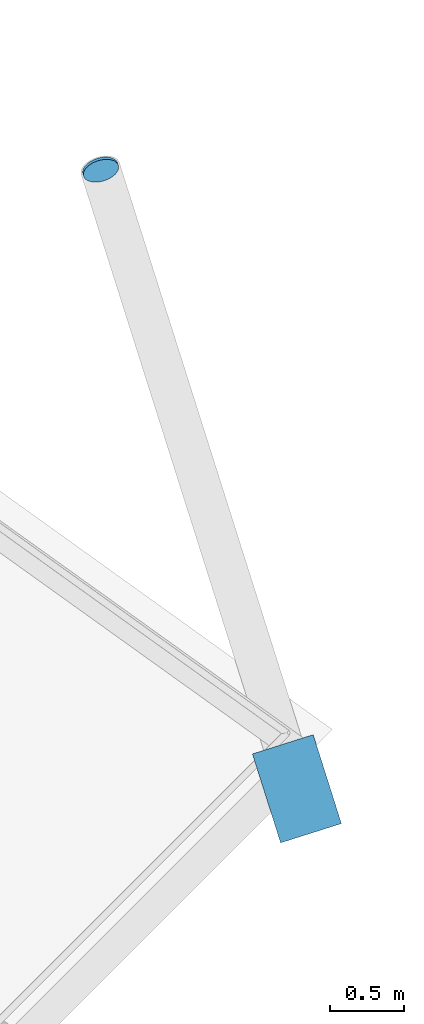
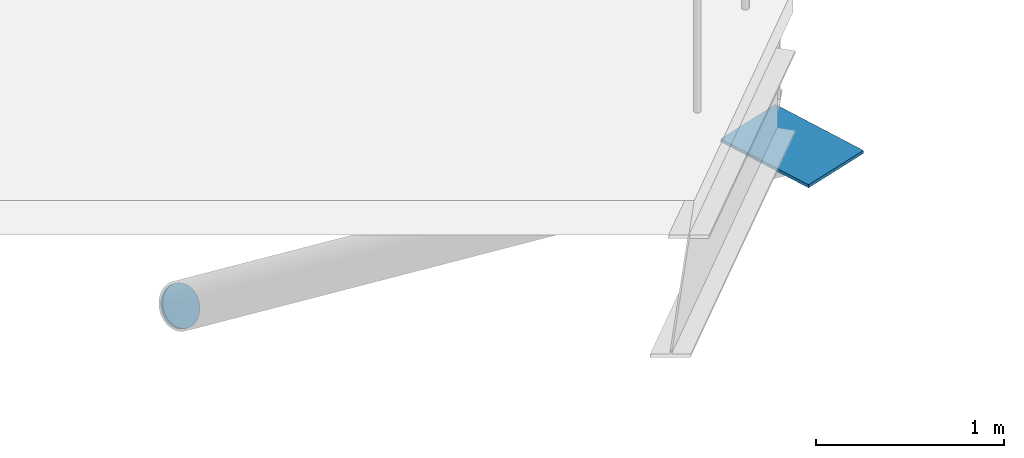
# One storey, part 30 of 37: 2 discrete accessories.
"""IFC4 building model written with IfcOpenShell, lengths in metres."""

import ifcopenshell
import ifcopenshell.guid

model = None  # the IFC model being written
_history = None  # IfcOwnerHistory: only IFC2X3 demands one
_inside = {}  # id of a spatial element -> (the spatial element, [elements in it])
_under = {}  # id of a project, library or spatial element -> (it, [spatial elements below it])
_declared = {}  # id of a project -> (the project, [libraries it declares])
_typed = {}  # id of a type object -> (the type object, [elements of that type])
_made_of = {}  # id of a material, layer set ... -> (it, [elements and type objects made of it])


def new_model(schema):
    """Start an empty IFC model of exactly this schema.

    Asked for "IFC4X3", IfcOpenShell would pick the latest addendum, in which some entities
    have other attributes; the version numbers below select the first issue.
    IFC2X3 requires an IfcOwnerHistory on every rooted entity: one is made here for all.
    """
    global model, _history
    if schema == "IFC4X3":
        model = ifcopenshell.file(schema_version=(4, 3, 0, 0))
    else:
        model = ifcopenshell.file(schema=schema)
    _inside.clear()
    _under.clear()
    _declared.clear()
    _typed.clear()
    _made_of.clear()
    _history = None
    if model.schema == "IFC2X3":
        org = make("IfcOrganization", Name="unknown")
        user = make(
            "IfcPersonAndOrganization",
            ThePerson=make("IfcPerson", FamilyName="unknown"),
            TheOrganization=org,
        )
        app = make(
            "IfcApplication",
            ApplicationDeveloper=org,
            Version="unknown",
            ApplicationFullName="unknown",
            ApplicationIdentifier="unknown",
        )
        _history = make(
            "IfcOwnerHistory",
            OwningUser=user,
            OwningApplication=app,
            ChangeAction="ADDED",
            CreationDate=0,
        )
    return model


def make(cls, **values):
    """One entity of the class cls with the attributes given. An attribute that is None is left unset."""
    return model.create_entity(
        cls, **{name: value for name, value in values.items() if value is not None}
    )


def rooted(cls, **values):
    """An entity with a GlobalId (a new one), such as an element, a storey or a relation."""
    return make(cls, GlobalId=ifcopenshell.guid.new(), OwnerHistory=_history, **values)


def si_unit(unit_type, name, prefix=None):
    """IfcSIUnit, for example si_unit("LENGTHUNIT", "METRE", prefix="MILLI")."""
    return make("IfcSIUnit", UnitType=unit_type, Prefix=prefix, Name=name)


def assignment(units):
    """IfcUnitAssignment: the units of a project."""
    return None if units is None else make("IfcUnitAssignment", Units=units)


def point(xyz):
    """IfcCartesianPoint."""
    return None if xyz is None else make("IfcCartesianPoint", Coordinates=xyz)


def direction(xyz):
    """IfcDirection."""
    return None if xyz is None else make("IfcDirection", DirectionRatios=xyz)


def frame(location, z_axis=None, x_axis=None):
    """IfcAxis2Placement3D, a coordinate frame: its origin and axes. An axis left out is left unset."""
    return make(
        "IfcAxis2Placement3D",
        Location=point(location),
        Axis=direction(z_axis),
        RefDirection=direction(x_axis),
    )


def frame_2d(location, x_axis=None):
    """IfcAxis2Placement2D, a coordinate frame in the plane: its origin and x axis."""
    return make(
        "IfcAxis2Placement2D", Location=point(location), RefDirection=direction(x_axis)
    )


def origin():
    """The frame at (0, 0, 0) with its axes left unset."""
    return frame((0.0, 0.0, 0.0))


def origin_2d():
    """The frame at (0, 0) in the plane with its x axis left unset."""
    return frame_2d((0.0, 0.0))


def place(relative_to, where):
    """IfcLocalPlacement: puts the frame where relative to a parent placement (None: the world)."""
    return make(
        "IfcLocalPlacement", PlacementRelTo=relative_to, RelativePlacement=where
    )


def context(
    kind, dimensions, precision=None, world=None, true_north=None, identifier=None
):
    """IfcGeometricRepresentationContext, for example the 3D "Model" context."""
    return make(
        "IfcGeometricRepresentationContext",
        ContextIdentifier=identifier,
        ContextType=kind,
        CoordinateSpaceDimension=dimensions,
        Precision=precision,
        WorldCoordinateSystem=world,
        TrueNorth=true_north,
    )


def subcontext(parent, identifier, kind, view, scale=None):
    """IfcGeometricRepresentationSubContext, for example "Body" below "Model"."""
    return make(
        "IfcGeometricRepresentationSubContext",
        ContextIdentifier=identifier,
        ContextType=kind,
        ParentContext=parent,
        TargetScale=scale,
        TargetView=view,
    )


def project(units=None, contexts=None):
    """IfcProject with its units and contexts."""
    return rooted(
        "IfcProject",
        Name="project",
        RepresentationContexts=contexts,
        UnitsInContext=assignment(units),
    )


def spatial(cls, under=None, at=None, **own):
    """A site, building, storey or space (cls), placed at a placement, below another one or the project."""
    s = rooted(cls, ObjectPlacement=at, **own)
    if under is not None:
        _under.setdefault(under.id(), (under, []))[1].append(s)
    return s


def polyline(points):
    """IfcPolyline through the points."""
    return make("IfcPolyline", Points=[point(p) for p in points])


def profile(cls, at=None, kind="AREA", **sizes):
    """A parametric profile (cls). Its sizes go by their IFC names, for example OverallWidth=200.0."""
    return make(cls, ProfileType=kind, Position=at, **sizes)


def rectangle(**sizes):
    """IfcRectangleProfileDef."""
    return profile("IfcRectangleProfileDef", **sizes)


def circle(**sizes):
    """IfcCircleProfileDef."""
    return profile("IfcCircleProfileDef", **sizes)


def outline(outer, holes=None, kind="AREA"):
    """IfcArbitraryClosedProfileDef: a profile drawn as a closed curve; with holes, ...WithVoids."""
    if holes is None:
        return make("IfcArbitraryClosedProfileDef", ProfileType=kind, OuterCurve=outer)
    return make(
        "IfcArbitraryProfileDefWithVoids",
        ProfileType=kind,
        OuterCurve=outer,
        InnerCurves=holes,
    )


def extrude(swept, where, along, depth):
    """IfcExtrudedAreaSolid: the profile swept, set in the frame where, extruded along a direction by depth."""
    return make(
        "IfcExtrudedAreaSolid",
        SweptArea=swept,
        Position=where,
        ExtrudedDirection=direction(along),
        Depth=depth,
    )


def shape(context_of_items, identifier, shape_type, items):
    """IfcShapeRepresentation: the items that make up one representation, for example the "Body"."""
    return make(
        "IfcShapeRepresentation",
        ContextOfItems=context_of_items,
        RepresentationIdentifier=identifier,
        RepresentationType=shape_type,
        Items=items,
    )


def material(Name=None, Category=None):
    """IfcMaterial."""
    return make("IfcMaterial", Name=Name, Category=Category)


def material_profile(
    of_material, cross_section, Name=None, Category=None, Priority=None
):
    """IfcMaterialProfile: a cross section and its material."""
    return make(
        "IfcMaterialProfile",
        Name=Name,
        Material=of_material,
        Profile=cross_section,
        Priority=Priority,
        Category=Category,
    )


def profile_set(profiles, Name=None, composite=None):
    """IfcMaterialProfileSet."""
    return make(
        "IfcMaterialProfileSet",
        Name=Name,
        MaterialProfiles=profiles,
        CompositeProfile=composite,
    )


def made_of(thing, what):
    """Note that an element or type object is made of a material, layer set ...; save() writes the relation."""
    if what is not None:
        _made_of.setdefault(what.id(), (what, []))[1].append(thing)
    return thing


def type_object(cls, material=None, **own):
    """A type object (cls), such as IfcWallType, which elements share."""
    return made_of(rooted(cls, **own), material)


def element(
    cls,
    number,
    at=None,
    inside=None,
    cuts=None,
    type_object=None,
    material=None,
    context=None,
    identifier="Body",
    shape_type=None,
    held_by="IfcProductDefinitionShape",
    body=None,
    shapes=None,
    **own,
):
    """One element of the class cls, such as IfcWall. Its Tag is "e" and its number.

    at: its placement. inside: the storey or other place that contains it. cuts: it is an
    opening in that element (IfcRelVoidsElement). A single representation is given by context,
    identifier, shape_type and body (its items); several are given by shapes. held_by: the class
    of the entity that holds the representations. save() writes the other relations.
    """
    e = rooted(cls, Tag="e%d" % number, ObjectPlacement=at, **own)
    if body is not None:
        shapes = [shape(context, identifier, shape_type, body)]
    if shapes is not None:
        e.Representation = make(held_by, Representations=shapes)
    if inside is not None:
        _inside.setdefault(inside.id(), (inside, []))[1].append(e)
    if cuts is not None:
        rooted(
            "IfcRelVoidsElement", RelatingBuildingElement=cuts, RelatedOpeningElement=e
        )
    if type_object is not None:
        _typed.setdefault(type_object.id(), (type_object, []))[1].append(e)
    return made_of(e, material)


def aggregate(whole, parts):
    """IfcRelAggregates: a whole, such as a stair, and the parts it consists of."""
    return rooted("IfcRelAggregates", RelatingObject=whole, RelatedObjects=parts)


def save(model, path):
    """Write the relations noted so far, then the file.

    IfcRelAggregates (storeys below a building ...), IfcRelContainedInSpatialStructure (elements
    in a storey), IfcRelDefinesByType, IfcRelAssociatesMaterial and IfcRelDeclares: one each for
    every whole, place, type object, material and project.
    """
    for whole, parts in _under.values():
        aggregate(whole, parts)
    for where, things in _inside.values():
        rooted(
            "IfcRelContainedInSpatialStructure",
            RelatedElements=things,
            RelatingStructure=where,
        )
    for kind, things in _typed.values():
        rooted("IfcRelDefinesByType", RelatedObjects=things, RelatingType=kind)
    for what, things in _made_of.values():
        rooted("IfcRelAssociatesMaterial", RelatedObjects=things, RelatingMaterial=what)
    for by, libraries in _declared.values():
        rooted("IfcRelDeclares", RelatingContext=by, RelatedDefinitions=libraries)
    model.write(path)


model = new_model("IFC4")

# Units and contexts
model_context = context("Model", 3, precision=1e-05, world=origin(), true_north=direction((0.0, 1.0)))
body_context = subcontext(model_context, "Body", "Model", "MODEL_VIEW")
ifc_project = project(units=[si_unit("LENGTHUNIT", "METRE"), si_unit("AREAUNIT", "SQUARE_METRE"), si_unit("VOLUMEUNIT", "CUBIC_METRE"), si_unit("PLANEANGLEUNIT", "RADIAN"), si_unit("MASSUNIT", "GRAM", prefix="KILO")], contexts=[model_context])

# Site, building, storey
site_placement = place(None, origin())
site = spatial("IfcSite", under=ifc_project, at=site_placement, CompositionType="ELEMENT")
building_placement = place(site_placement, origin())
building = spatial("IfcBuilding", under=site, at=building_placement, Name="Rimbun Link Towers", CompositionType="ELEMENT")
storey_placement = place(building_placement, frame((0.0, 0.0, 170.300048828125)))
storey = spatial("IfcBuildingStorey", under=building, at=storey_placement, Name="L41", CompositionType="ELEMENT", Elevation=170.300048828125)

# Discrete accessories
ifc_material_1 = material(Name="Steel S355J2H", Category="steel")
ifc_material_profile_1 = material_profile(ifc_material_1, circle(Radius=0.1240234375, at=origin_2d()), Name="PL D248")
ifc_profile_set_1 = profile_set([ifc_material_profile_1], Name="Steel S355J2H")
discrete_accessory_type_1 = type_object("IfcDiscreteAccessoryType", Name="Link foot sealing plate D248X20", PredefinedType="BRACKET", material=ifc_profile_set_1)
discrete_accessory_1_placement = place(storey_placement, frame((45.820068359375, 19.43359375, -3.80908203125), z_axis=(-0.244247768482, 0.781592859144, -0.573982255934), x_axis=(-0.954479978035, -0.298274993136, 0.0)))
element("IfcDiscreteAccessory", 1, at=discrete_accessory_1_placement, inside=storey, type_object=discrete_accessory_type_1, Name="Link foot sealing plate T2 L41 00", PredefinedType="BRACKET", context=body_context, shape_type="SweptSolid", body=[
    extrude(circle(Radius=0.1240234375, at=origin_2d()), origin(), (0.0, 0.0, 1.0), 0.02001953125),
])
ifc_material_2 = material(Name="Steel S355J2H", Category="steel")
ifc_material_profile_2 = material_profile(ifc_material_2, rectangle(XDim=0.43310546875, YDim=0.43310546875, at=origin_2d()), Name="PL 433x433")
ifc_profile_set_2 = profile_set([ifc_material_profile_2], Name="Steel S355J2H")
discrete_accessory_type_2 = type_object("IfcDiscreteAccessoryType", Name="Link head end plate 433X20", PredefinedType="BRACKET", material=ifc_profile_set_2)
discrete_accessory_2_placement = place(storey_placement, frame((0.0, 0.0, -0.703125)))
element("IfcDiscreteAccessory", 2, at=discrete_accessory_2_placement, inside=storey, type_object=discrete_accessory_type_2, Name="Link head end plate T2 L41 00", PredefinedType="BRACKET", context=body_context, shape_type="SweptSolid", body=[
    extrude(outline(polyline([(47.452880859375, 15.0), (47.26123046875, 15.60400390625), (46.848388671875, 15.472900390625), (47.0400390625, 14.869140625), (47.452880859375, 15.0)])), origin(), (0.0, 0.0, 1.0), 0.02001953125),
])

save(model, "model.ifc")
